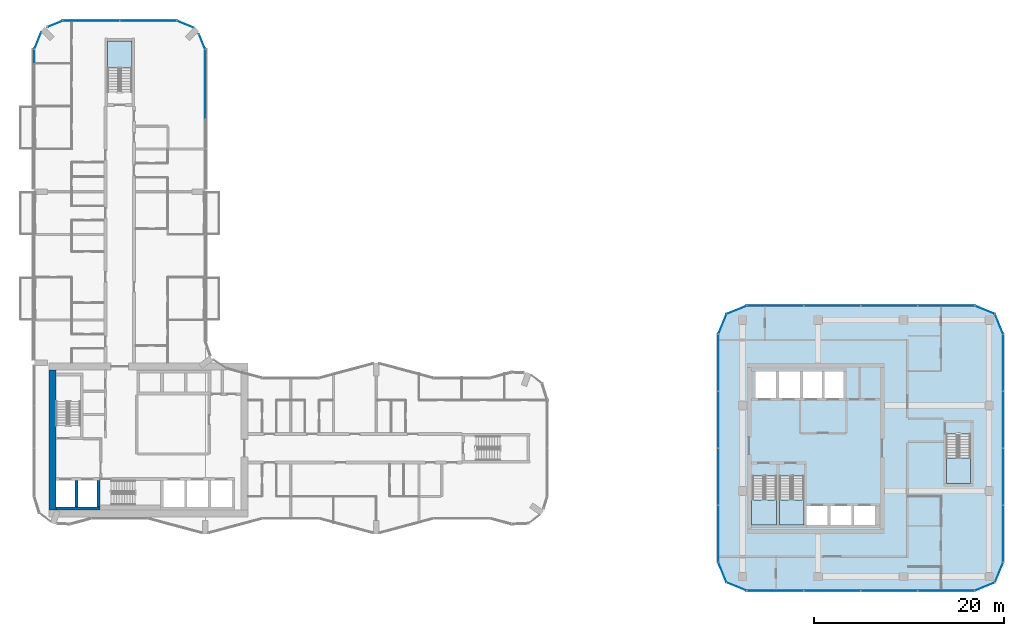
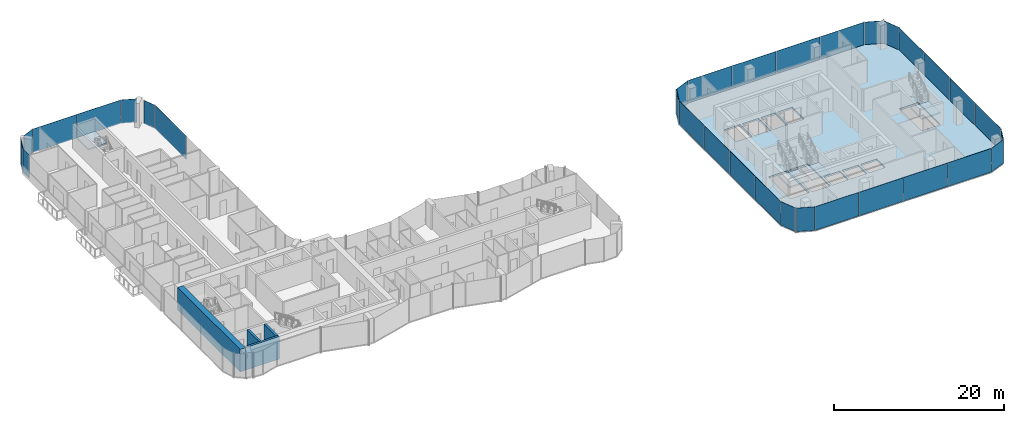
# One storey, part 12 of 23: 32 plates, 5 slabs, 4 walls, 23 elements without a shape of their own.
"""IFC4 building model written with IfcOpenShell, lengths in metres."""

from ifc_helpers import new_model, si_unit, direction, frame, frame_2d, origin, origin_2d, place, context, subcontext, project, spatial, polyline, rectangle, outline, extrude, material, layer, layer_set, type_object, element, aggregate, save


model = new_model("IFC4")

# Units and contexts
model_context = context("Model", 3, precision=1e-05, world=origin(), true_north=direction((0.0, 1.0)))
body_context = subcontext(model_context, "Body", "Model", "MODEL_VIEW")
ifc_project = project(units=[si_unit("LENGTHUNIT", "METRE"), si_unit("AREAUNIT", "SQUARE_METRE"), si_unit("VOLUMEUNIT", "CUBIC_METRE"), si_unit("PLANEANGLEUNIT", "RADIAN"), si_unit("MASSUNIT", "GRAM", prefix="KILO")], contexts=[model_context])

# Site, building, storey
site_placement = place(None, origin())
site = spatial("IfcSite", under=ifc_project, at=site_placement, CompositionType="ELEMENT")
building_placement = place(site_placement, origin())
building = spatial("IfcBuilding", under=site, at=building_placement, Name="Plateau Cross Towers", CompositionType="ELEMENT")
storey_placement = place(building_placement, frame((0.0, 0.0, 40.800048828125)))
storey = spatial("IfcBuildingStorey", under=building, at=storey_placement, Name="L09", CompositionType="ELEMENT", Elevation=40.800048828125)

# Curtain wall, plates
ifc_material_1 = material(Name="Dark low-iron glass", Category="glass")
ifc_layer_1 = layer(ifc_material_1, 0.239990234375)
ifc_layer_set_1 = layer_set([ifc_layer_1], Name="Dark low-iron glass")
curtain_wall_type_1 = type_object("IfcCurtainWallType", Name="Curtain wall office unitised CW-F", PredefinedType="NOTDEFINED", material=ifc_layer_set_1)
curtain_wall_1_placement = place(storey_placement, origin())
curtain_wall_1 = element("IfcCurtainWall", 1, at=curtain_wall_1_placement, inside=storey, type_object=curtain_wall_type_1, Name="ENV/B/L09/B750_-60", PredefinedType="NOTDEFINED")
ifc_layer_2 = layer(ifc_material_1, 0.028076171875)
ifc_layer_set_2 = layer_set([ifc_layer_2], Name="Dark low-iron glass")
plate_type_1 = type_object("IfcPlateType", Name="Glass panel 28 office unitised", PredefinedType="CURTAIN_PANEL", material=ifc_layer_set_2)
plate_1_placement = place(storey_placement, frame((78.0, -6.0, -0.1298828125), z_axis=(0.0, 0.0, 1.0), x_axis=(1.0, 0.0, 0.0)))
plate_1 = element("IfcPlate", 2, at=plate_1_placement, type_object=plate_type_1, Name="CW-F panel 1", PredefinedType="CURTAIN_PANEL", context=body_context, shape_type="SweptSolid", body=[
    extrude(rectangle(XDim=5.93994140625, YDim=0.028076171875, at=origin_2d()), origin(), (0.0, 0.0, 1.0), 3.3798828125),
])
plate_2_placement = place(storey_placement, frame((84.0, -6.0, -0.1298828125), z_axis=(0.0, 0.0, 1.0), x_axis=(1.0, 0.0, 0.0)))
plate_2 = element("IfcPlate", 3, at=plate_2_placement, type_object=plate_type_1, Name="CW-F panel 2", PredefinedType="CURTAIN_PANEL", context=body_context, shape_type="SweptSolid", body=[
    extrude(rectangle(XDim=5.93994140625, YDim=0.028076171875, at=origin_2d()), origin(), (0.0, 0.0, 1.0), 3.3798828125),
])
plate_3_placement = place(storey_placement, frame((90.0, -6.0, -0.1298828125), z_axis=(0.0, 0.0, 1.0), x_axis=(1.0, 0.0, 0.0)))
plate_3 = element("IfcPlate", 4, at=plate_3_placement, type_object=plate_type_1, Name="CW-F panel 3", PredefinedType="CURTAIN_PANEL", context=body_context, shape_type="SweptSolid", body=[
    extrude(rectangle(XDim=5.93994140625, YDim=0.028076171875, at=origin_2d()), origin(), (0.0, 0.0, 1.0), 3.3798828125),
])
plate_4_placement = place(storey_placement, frame((96.0, -6.0, -0.1298828125), z_axis=(0.0, 0.0, 1.0), x_axis=(1.0, 0.0, 0.0)))
plate_4 = element("IfcPlate", 5, at=plate_4_placement, type_object=plate_type_1, Name="CW-F panel 4", PredefinedType="CURTAIN_PANEL", context=body_context, shape_type="SweptSolid", body=[
    extrude(rectangle(XDim=5.93994140625, YDim=0.028076171875, at=origin_2d()), origin(), (0.0, 0.0, 1.0), 3.3798828125),
])
aggregate(curtain_wall_1, [plate_1, plate_2, plate_3, plate_4])

# Curtain wall, plate
curtain_wall_2_placement = place(storey_placement, origin())
curtain_wall_2 = element("IfcCurtainWall", 6, at=curtain_wall_2_placement, inside=storey, type_object=curtain_wall_type_1, Name="ENV/B/L09/B990_-60", PredefinedType="NOTDEFINED")
plate_5_placement = place(storey_placement, frame((100.060546875, -5.560546875, -0.1298828125), z_axis=(0.0, 0.0, 1.0), x_axis=(0.923879457699, 0.382683612978, 0.0)))
plate_5 = element("IfcPlate", 7, at=plate_5_placement, type_object=plate_type_1, Name="CW-F panel 1", PredefinedType="CURTAIN_PANEL", context=body_context, shape_type="SweptSolid", body=[
    extrude(rectangle(XDim=2.236083984375, YDim=0.028076171875, at=origin_2d()), origin(), (0.0, 0.0, 1.0), 3.3798828125),
])
aggregate(curtain_wall_2, [plate_5])

curtain_wall_3_placement = place(storey_placement, origin())
curtain_wall_3 = element("IfcCurtainWall", 8, at=curtain_wall_3_placement, inside=storey, type_object=curtain_wall_type_1, Name="ENV/B/L09/B1011_-51", PredefinedType="NOTDEFINED")
plate_6_placement = place(storey_placement, frame((101.560546875, -4.060546875, -0.1298828125), z_axis=(0.0, 0.0, 1.0), x_axis=(0.382683612978, 0.923879457699, 0.0)))
plate_6 = element("IfcPlate", 9, at=plate_6_placement, type_object=plate_type_1, Name="CW-F panel 1", PredefinedType="CURTAIN_PANEL", context=body_context, shape_type="SweptSolid", body=[
    extrude(rectangle(XDim=2.236083984375, YDim=0.028076171875, at=origin_2d()), origin(), (0.0, 0.0, 1.0), 3.3798828125),
])
aggregate(curtain_wall_3, [plate_6])

# Curtain wall, plates
curtain_wall_4_placement = place(storey_placement, origin())
curtain_wall_4 = element("IfcCurtainWall", 10, at=curtain_wall_4_placement, inside=storey, type_object=curtain_wall_type_1, Name="ENV/B/L09/B1020_-30", PredefinedType="NOTDEFINED")
plate_7_placement = place(storey_placement, frame((102.0, 0.0, -0.1298828125), z_axis=(0.0, 0.0, 1.0), x_axis=(0.0, 1.0, 0.0)))
plate_7 = element("IfcPlate", 11, at=plate_7_placement, type_object=plate_type_1, Name="CW-F panel 1", PredefinedType="CURTAIN_PANEL", context=body_context, shape_type="SweptSolid", body=[
    extrude(rectangle(XDim=5.93994140625, YDim=0.028076171875, at=origin_2d()), origin(), (0.0, 0.0, 1.0), 3.3798828125),
])
plate_8_placement = place(storey_placement, frame((102.0, 6.0, -0.1298828125), z_axis=(0.0, 0.0, 1.0), x_axis=(0.0, 1.0, 0.0)))
plate_8 = element("IfcPlate", 12, at=plate_8_placement, type_object=plate_type_1, Name="CW-F panel 2", PredefinedType="CURTAIN_PANEL", context=body_context, shape_type="SweptSolid", body=[
    extrude(rectangle(XDim=5.93994140625, YDim=0.028076171875, at=origin_2d()), origin(), (0.0, 0.0, 1.0), 3.3798828125),
])
plate_9_placement = place(storey_placement, frame((102.0, 12.0, -0.1298828125), z_axis=(0.0, 0.0, 1.0), x_axis=(0.0, 1.0, 0.0)))
plate_9 = element("IfcPlate", 13, at=plate_9_placement, type_object=plate_type_1, Name="CW-F panel 3", PredefinedType="CURTAIN_PANEL", context=body_context, shape_type="SweptSolid", body=[
    extrude(rectangle(XDim=5.93994140625, YDim=0.028076171875, at=origin_2d()), origin(), (0.0, 0.0, 1.0), 3.3798828125),
])
plate_10_placement = place(storey_placement, frame((102.0, 18.0, -0.1298828125), z_axis=(0.0, 0.0, 1.0), x_axis=(0.0, 1.0, 0.0)))
plate_10 = element("IfcPlate", 14, at=plate_10_placement, type_object=plate_type_1, Name="CW-F panel 4", PredefinedType="CURTAIN_PANEL", context=body_context, shape_type="SweptSolid", body=[
    extrude(rectangle(XDim=5.93994140625, YDim=0.028076171875, at=origin_2d()), origin(), (0.0, 0.0, 1.0), 3.3798828125),
])
aggregate(curtain_wall_4, [plate_7, plate_8, plate_9, plate_10])

# Curtain wall, plate
curtain_wall_5_placement = place(storey_placement, origin())
curtain_wall_5 = element("IfcCurtainWall", 15, at=curtain_wall_5_placement, inside=storey, type_object=curtain_wall_type_1, Name="ENV/B/L09/B1020_210", PredefinedType="NOTDEFINED")
plate_11_placement = place(storey_placement, frame((101.560546875, 22.060546875, -0.1298828125), z_axis=(0.0, 0.0, 1.0), x_axis=(-0.382683612978, 0.923879457699, 0.0)))
plate_11 = element("IfcPlate", 16, at=plate_11_placement, type_object=plate_type_1, Name="CW-F panel 1", PredefinedType="CURTAIN_PANEL", context=body_context, shape_type="SweptSolid", body=[
    extrude(rectangle(XDim=2.236083984375, YDim=0.028076171875, at=origin_2d()), origin(), (0.0, 0.0, 1.0), 3.3798828125),
])
aggregate(curtain_wall_5, [plate_11])

curtain_wall_6_placement = place(storey_placement, origin())
curtain_wall_6 = element("IfcCurtainWall", 17, at=curtain_wall_6_placement, inside=storey, type_object=curtain_wall_type_1, Name="ENV/B/L09/B1011_231", PredefinedType="NOTDEFINED")
plate_12_placement = place(storey_placement, frame((100.060546875, 23.560546875, -0.1298828125), z_axis=(0.0, 0.0, 1.0), x_axis=(-0.923879457699, 0.382683612978, 0.0)))
plate_12 = element("IfcPlate", 18, at=plate_12_placement, type_object=plate_type_1, Name="CW-F panel 1", PredefinedType="CURTAIN_PANEL", context=body_context, shape_type="SweptSolid", body=[
    extrude(rectangle(XDim=2.236083984375, YDim=0.028076171875, at=origin_2d()), origin(), (0.0, 0.0, 1.0), 3.3798828125),
])
aggregate(curtain_wall_6, [plate_12])

# Curtain wall, plates
curtain_wall_7_placement = place(storey_placement, origin())
curtain_wall_7 = element("IfcCurtainWall", 19, at=curtain_wall_7_placement, inside=storey, type_object=curtain_wall_type_1, Name="ENV/B/L09/B990_240", PredefinedType="NOTDEFINED")
plate_13_placement = place(storey_placement, frame((96.0, 24.0, -0.1298828125), z_axis=(0.0, 0.0, 1.0), x_axis=(-1.0, 0.0, 0.0)))
plate_13 = element("IfcPlate", 20, at=plate_13_placement, type_object=plate_type_1, Name="CW-F panel 1", PredefinedType="CURTAIN_PANEL", context=body_context, shape_type="SweptSolid", body=[
    extrude(rectangle(XDim=5.93994140625, YDim=0.028076171875, at=origin_2d()), origin(), (0.0, 0.0, 1.0), 3.3798828125),
])
plate_14_placement = place(storey_placement, frame((90.0, 24.0, -0.1298828125), z_axis=(0.0, 0.0, 1.0), x_axis=(-1.0, 0.0, 0.0)))
plate_14 = element("IfcPlate", 21, at=plate_14_placement, type_object=plate_type_1, Name="CW-F panel 2", PredefinedType="CURTAIN_PANEL", context=body_context, shape_type="SweptSolid", body=[
    extrude(rectangle(XDim=5.93994140625, YDim=0.028076171875, at=origin_2d()), origin(), (0.0, 0.0, 1.0), 3.3798828125),
])
plate_15_placement = place(storey_placement, frame((84.0, 24.0, -0.1298828125), z_axis=(0.0, 0.0, 1.0), x_axis=(-1.0, 0.0, 0.0)))
plate_15 = element("IfcPlate", 22, at=plate_15_placement, type_object=plate_type_1, Name="CW-F panel 3", PredefinedType="CURTAIN_PANEL", context=body_context, shape_type="SweptSolid", body=[
    extrude(rectangle(XDim=5.93994140625, YDim=0.028076171875, at=origin_2d()), origin(), (0.0, 0.0, 1.0), 3.3798828125),
])
plate_16_placement = place(storey_placement, frame((78.0, 24.0, -0.1298828125), z_axis=(0.0, 0.0, 1.0), x_axis=(-1.0, 0.0, 0.0)))
plate_16 = element("IfcPlate", 23, at=plate_16_placement, type_object=plate_type_1, Name="CW-F panel 4", PredefinedType="CURTAIN_PANEL", context=body_context, shape_type="SweptSolid", body=[
    extrude(rectangle(XDim=5.93994140625, YDim=0.028076171875, at=origin_2d()), origin(), (0.0, 0.0, 1.0), 3.3798828125),
])
aggregate(curtain_wall_7, [plate_13, plate_14, plate_15, plate_16])

# Curtain wall, plate
curtain_wall_8_placement = place(storey_placement, origin())
curtain_wall_8 = element("IfcCurtainWall", 24, at=curtain_wall_8_placement, inside=storey, type_object=curtain_wall_type_1, Name="ENV/B/L09/B750_240", PredefinedType="NOTDEFINED")
plate_17_placement = place(storey_placement, frame((73.939453125, 23.560546875, -0.1298828125), z_axis=(0.0, 0.0, 1.0), x_axis=(-0.923879457699, -0.382683612978, 0.0)))
plate_17 = element("IfcPlate", 25, at=plate_17_placement, type_object=plate_type_1, Name="CW-F panel 1", PredefinedType="CURTAIN_PANEL", context=body_context, shape_type="SweptSolid", body=[
    extrude(rectangle(XDim=2.236083984375, YDim=0.028076171875, at=origin_2d()), origin(), (0.0, 0.0, 1.0), 3.3798828125),
])
aggregate(curtain_wall_8, [plate_17])

curtain_wall_9_placement = place(storey_placement, origin())
curtain_wall_9 = element("IfcCurtainWall", 26, at=curtain_wall_9_placement, inside=storey, type_object=curtain_wall_type_1, Name="ENV/B/L09/B729_231", PredefinedType="NOTDEFINED")
plate_18_placement = place(storey_placement, frame((72.439453125, 22.060546875, -0.1298828125), z_axis=(0.0, 0.0, 1.0), x_axis=(-0.382683612978, -0.923879457699, 0.0)))
plate_18 = element("IfcPlate", 27, at=plate_18_placement, type_object=plate_type_1, Name="CW-F panel 1", PredefinedType="CURTAIN_PANEL", context=body_context, shape_type="SweptSolid", body=[
    extrude(rectangle(XDim=2.236083984375, YDim=0.028076171875, at=origin_2d()), origin(), (0.0, 0.0, 1.0), 3.3798828125),
])
aggregate(curtain_wall_9, [plate_18])

# Curtain wall, plates
curtain_wall_10_placement = place(storey_placement, origin())
curtain_wall_10 = element("IfcCurtainWall", 28, at=curtain_wall_10_placement, inside=storey, type_object=curtain_wall_type_1, Name="ENV/B/L09/B720_210", PredefinedType="NOTDEFINED")
plate_19_placement = place(storey_placement, frame((72.0, 18.0, -0.1298828125), z_axis=(0.0, 0.0, 1.0), x_axis=(0.0, -1.0, 0.0)))
plate_19 = element("IfcPlate", 29, at=plate_19_placement, type_object=plate_type_1, Name="CW-F panel 1", PredefinedType="CURTAIN_PANEL", context=body_context, shape_type="SweptSolid", body=[
    extrude(rectangle(XDim=5.93994140625, YDim=0.028076171875, at=origin_2d()), origin(), (0.0, 0.0, 1.0), 3.3798828125),
])
plate_20_placement = place(storey_placement, frame((72.0, 12.0, -0.1298828125), z_axis=(0.0, 0.0, 1.0), x_axis=(0.0, -1.0, 0.0)))
plate_20 = element("IfcPlate", 30, at=plate_20_placement, type_object=plate_type_1, Name="CW-F panel 2", PredefinedType="CURTAIN_PANEL", context=body_context, shape_type="SweptSolid", body=[
    extrude(rectangle(XDim=5.93994140625, YDim=0.028076171875, at=origin_2d()), origin(), (0.0, 0.0, 1.0), 3.3798828125),
])
plate_21_placement = place(storey_placement, frame((72.0, 6.0, -0.1298828125), z_axis=(0.0, 0.0, 1.0), x_axis=(0.0, -1.0, 0.0)))
plate_21 = element("IfcPlate", 31, at=plate_21_placement, type_object=plate_type_1, Name="CW-F panel 3", PredefinedType="CURTAIN_PANEL", context=body_context, shape_type="SweptSolid", body=[
    extrude(rectangle(XDim=5.93994140625, YDim=0.028076171875, at=origin_2d()), origin(), (0.0, 0.0, 1.0), 3.3798828125),
])
plate_22_placement = place(storey_placement, frame((72.0, 0.0, -0.1298828125), z_axis=(0.0, 0.0, 1.0), x_axis=(0.0, -1.0, 0.0)))
plate_22 = element("IfcPlate", 32, at=plate_22_placement, type_object=plate_type_1, Name="CW-F panel 4", PredefinedType="CURTAIN_PANEL", context=body_context, shape_type="SweptSolid", body=[
    extrude(rectangle(XDim=5.93994140625, YDim=0.028076171875, at=origin_2d()), origin(), (0.0, 0.0, 1.0), 3.3798828125),
])
aggregate(curtain_wall_10, [plate_19, plate_20, plate_21, plate_22])

# Curtain wall, plate
curtain_wall_11_placement = place(storey_placement, origin())
curtain_wall_11 = element("IfcCurtainWall", 33, at=curtain_wall_11_placement, inside=storey, type_object=curtain_wall_type_1, Name="ENV/B/L09/B720_-30", PredefinedType="NOTDEFINED")
plate_23_placement = place(storey_placement, frame((72.439453125, -4.060546875, -0.1298828125), z_axis=(0.0, 0.0, 1.0), x_axis=(0.382683612978, -0.923879457699, 0.0)))
plate_23 = element("IfcPlate", 34, at=plate_23_placement, type_object=plate_type_1, Name="CW-F panel 1", PredefinedType="CURTAIN_PANEL", context=body_context, shape_type="SweptSolid", body=[
    extrude(rectangle(XDim=2.236083984375, YDim=0.028076171875, at=origin_2d()), origin(), (0.0, 0.0, 1.0), 3.3798828125),
])
aggregate(curtain_wall_11, [plate_23])

curtain_wall_12_placement = place(storey_placement, origin())
curtain_wall_12 = element("IfcCurtainWall", 35, at=curtain_wall_12_placement, inside=storey, type_object=curtain_wall_type_1, Name="ENV/B/L09/B729_-51", PredefinedType="NOTDEFINED")
plate_24_placement = place(storey_placement, frame((73.939453125, -5.560546875, -0.1298828125), z_axis=(0.0, 0.0, 1.0), x_axis=(0.923879457699, -0.382683612978, 0.0)))
plate_24 = element("IfcPlate", 36, at=plate_24_placement, type_object=plate_type_1, Name="CW-F panel 1", PredefinedType="CURTAIN_PANEL", context=body_context, shape_type="SweptSolid", body=[
    extrude(rectangle(XDim=2.236083984375, YDim=0.028076171875, at=origin_2d()), origin(), (0.0, 0.0, 1.0), 3.3798828125),
])
aggregate(curtain_wall_12, [plate_24])

ifc_layer_3 = layer(ifc_material_1, 0.239990234375)
ifc_layer_set_3 = layer_set([ifc_layer_3], Name="Dark low-iron glass")
curtain_wall_type_2 = type_object("IfcCurtainWallType", Name="Curtain wall flush unitised CW-B", PredefinedType="NOTDEFINED", material=ifc_layer_set_3)
curtain_wall_13_placement = place(storey_placement, origin())
curtain_wall_13 = element("IfcCurtainWall", 37, at=curtain_wall_13_placement, inside=storey, type_object=curtain_wall_type_2, Name="ENV/A/L09/A180_363", PredefinedType="NOTDEFINED")
ifc_layer_4 = layer(ifc_material_1, 0.031982421875)
ifc_layer_set_4 = layer_set([ifc_layer_4], Name="Dark low-iron glass")
plate_type_2 = type_object("IfcPlateType", Name="Glass panel 32 flush unitised", PredefinedType="CURTAIN_PANEL", material=ifc_layer_set_4)
plate_25_placement = place(storey_placement, frame((18.0, 47.324951171875, -0.1298828125), z_axis=(0.0, 0.0, 1.0), x_axis=(0.0, 1.0, 0.0)))
plate_25 = element("IfcPlate", 38, at=plate_25_placement, type_object=plate_type_2, Name="CW-B panel 2", PredefinedType="CURTAIN_PANEL", context=body_context, shape_type="SweptSolid", body=[
    extrude(rectangle(XDim=7.2900390625, YDim=0.031982421875, at=origin_2d()), origin(), (0.0, 0.0, 1.0), 3.3798828125),
])
aggregate(curtain_wall_13, [plate_25])

curtain_wall_14_placement = place(storey_placement, origin())
curtain_wall_14 = element("IfcCurtainWall", 39, at=curtain_wall_14_placement, inside=storey, type_object=curtain_wall_type_2, Name="ENV/A/L09/A180_510", PredefinedType="NOTDEFINED")
plate_26_placement = place(storey_placement, frame((17.66943359375, 51.79833984375, -0.1298828125), z_axis=(0.0, 0.0, 1.0), x_axis=(-0.382683612978, 0.923879457699, 0.0)))
plate_26 = element("IfcPlate", 40, at=plate_26_placement, type_object=plate_type_2, Name="CW-B panel 1", PredefinedType="CURTAIN_PANEL", context=body_context, shape_type="SweptSolid", body=[
    extrude(rectangle(XDim=1.668212890625, YDim=0.031982421875, at=origin_2d()), origin(), (0.0, 0.0, 1.0), 3.3798828125),
])
aggregate(curtain_wall_14, [plate_26])

curtain_wall_15_placement = place(storey_placement, origin())
curtain_wall_15 = element("IfcCurtainWall", 41, at=curtain_wall_15_placement, inside=storey, type_object=curtain_wall_type_2, Name="ENV/A/L09/A168_533", PredefinedType="NOTDEFINED")
plate_27_placement = place(storey_placement, frame((15.90283203125, 53.6259765625, -0.1298828125), z_axis=(0.0, 0.0, 1.0), x_axis=(-0.923879457699, 0.382683612978, 0.0)))
plate_27 = element("IfcPlate", 42, at=plate_27_placement, type_object=plate_type_2, Name="CW-B panel 1", PredefinedType="CURTAIN_PANEL", context=body_context, shape_type="SweptSolid", body=[
    extrude(rectangle(XDim=1.894775390625, YDim=0.031982421875, at=origin_2d()), origin(), (0.0, 0.0, 1.0), 3.3798828125),
])
aggregate(curtain_wall_15, [plate_27])

# Curtain wall, plates
curtain_wall_16_placement = place(storey_placement, origin())
curtain_wall_16 = element("IfcCurtainWall", 43, at=curtain_wall_16_placement, inside=storey, type_object=curtain_wall_type_2, Name="ENV/A/L09/A150_540", PredefinedType="NOTDEFINED")
plate_28_placement = place(storey_placement, frame((12.0, 54.0, -0.1298828125), z_axis=(0.0, 0.0, 1.0), x_axis=(-1.0, 0.0, 0.0)))
plate_28 = element("IfcPlate", 44, at=plate_28_placement, type_object=plate_type_2, Name="CW-B panel 1", PredefinedType="CURTAIN_PANEL", context=body_context, shape_type="SweptSolid", body=[
    extrude(rectangle(XDim=5.93994140625, YDim=0.031982421875, at=origin_2d()), origin(), (0.0, 0.0, 1.0), 3.3798828125),
])
plate_29_placement = place(storey_placement, frame((6.0, 54.0, -0.1298828125), z_axis=(0.0, 0.0, 1.0), x_axis=(-1.0, 0.0, 0.0)))
plate_29 = element("IfcPlate", 45, at=plate_29_placement, type_object=plate_type_2, Name="CW-B panel 2", PredefinedType="CURTAIN_PANEL", context=body_context, shape_type="SweptSolid", body=[
    extrude(rectangle(XDim=5.93994140625, YDim=0.031982421875, at=origin_2d()), origin(), (0.0, 0.0, 1.0), 3.3798828125),
])
aggregate(curtain_wall_16, [plate_28, plate_29])

# Curtain wall, plate
curtain_wall_17_placement = place(storey_placement, origin())
curtain_wall_17 = element("IfcCurtainWall", 46, at=curtain_wall_17_placement, inside=storey, type_object=curtain_wall_type_2, Name="ENV/A/L09/A30_540", PredefinedType="NOTDEFINED")
plate_30_placement = place(storey_placement, frame((2.20166015625, 53.66943359375, -0.1298828125), z_axis=(0.0, 0.0, 1.0), x_axis=(-0.923879457699, -0.382683612978, 0.0)))
plate_30 = element("IfcPlate", 47, at=plate_30_placement, type_object=plate_type_2, Name="CW-B panel 1", PredefinedType="CURTAIN_PANEL", context=body_context, shape_type="SweptSolid", body=[
    extrude(rectangle(XDim=1.668212890625, YDim=0.031982421875, at=origin_2d()), origin(), (0.0, 0.0, 1.0), 3.3798828125),
])
aggregate(curtain_wall_17, [plate_30])

curtain_wall_18_placement = place(storey_placement, origin())
curtain_wall_18 = element("IfcCurtainWall", 48, at=curtain_wall_18_placement, inside=storey, type_object=curtain_wall_type_2, Name="ENV/A/L09/A7_528", PredefinedType="NOTDEFINED")
plate_31_placement = place(storey_placement, frame((0.3740234375, 51.90283203125, -0.1298828125), z_axis=(0.0, 0.0, 1.0), x_axis=(-0.382683612978, -0.923879457699, 0.0)))
plate_31 = element("IfcPlate", 49, at=plate_31_placement, type_object=plate_type_2, Name="CW-B panel 1", PredefinedType="CURTAIN_PANEL", context=body_context, shape_type="SweptSolid", body=[
    extrude(rectangle(XDim=1.894775390625, YDim=0.031982421875, at=origin_2d()), origin(), (0.0, 0.0, 1.0), 3.3798828125),
])
aggregate(curtain_wall_18, [plate_31])

curtain_wall_19_placement = place(storey_placement, origin())
curtain_wall_19 = element("IfcCurtainWall", 50, at=curtain_wall_19_placement, inside=storey, type_object=curtain_wall_type_2, Name="ENV/A/L09/A0_510", PredefinedType="NOTDEFINED")
plate_32_placement = place(storey_placement, frame((0.0, 50.25, -0.1298828125), z_axis=(0.0, 0.0, 1.0), x_axis=(0.0, -1.0, 0.0)))
plate_32 = element("IfcPlate", 51, at=plate_32_placement, type_object=plate_type_2, Name="CW-B panel 1", PredefinedType="CURTAIN_PANEL", context=body_context, shape_type="SweptSolid", body=[
    extrude(rectangle(XDim=1.43994140625, YDim=0.031982421875, at=origin_2d()), origin(), (0.0, 0.0, 1.0), 3.3798828125),
])
aggregate(curtain_wall_19, [plate_32])

# Slab
ifc_material_2 = material(Name="Concrete C40/50", Category="concrete")
ifc_layer_5 = layer(ifc_material_2, 0.25)
ifc_layer_set_5 = layer_set([ifc_layer_5], Name="Concrete C40/50")
slab_type_1 = type_object("IfcSlabType", Name="Post-tensioned flat plate slab 250", PredefinedType="FLOOR", material=ifc_layer_set_5)
slab_1_placement = place(storey_placement, frame((0.0, 0.0, -0.25)))
element("IfcSlab", 52, at=slab_1_placement, inside=storey, type_object=slab_type_1, Name="SL-B-L09", PredefinedType="FLOOR", context=body_context, shape_type="SweptSolid", body=[
    extrude(outline(polyline([(72.878662109375, -5.121337890625), (72.0, -3.0), (72.0, 21.0), (72.878662109375, 23.121337890625), (75.0, 24.0), (99.0, 24.0), (101.121337890625, 23.121337890625), (102.0, 21.0), (102.0, -3.0), (101.121337890625, -5.121337890625), (99.0, -6.0), (75.0, -6.0), (72.878662109375, -5.121337890625)]), holes=[polyline([(75.60009765625, 0.89990234375), (78.14990234375, 0.89990234375), (78.14990234375, 6.10009765625), (75.60009765625, 6.10009765625), (75.60009765625, 0.89990234375)]), polyline([(78.10009765625, 14.300048828125), (78.10009765625, 17.10009765625), (75.89990234375, 17.10009765625), (75.89990234375, 14.300048828125), (78.10009765625, 14.300048828125)]), polyline([(83.5, 0.89990234375), (83.5, 2.89990234375), (81.300048828125, 2.89990234375), (81.300048828125, 0.89990234375), (83.5, 0.89990234375)]), polyline([(86.0, 0.89990234375), (86.0, 2.89990234375), (83.800048828125, 2.89990234375), (83.800048828125, 0.89990234375), (86.0, 0.89990234375)]), polyline([(88.5, 0.89990234375), (88.5, 2.89990234375), (86.300048828125, 2.89990234375), (86.300048828125, 0.89990234375), (88.5, 0.89990234375)]), polyline([(78.449951171875, 0.89990234375), (81.0, 0.89990234375), (81.0, 6.10009765625), (78.449951171875, 6.10009765625), (78.449951171875, 0.89990234375)]), polyline([(96.0, 5.300048828125), (98.550048828125, 5.300048828125), (98.550048828125, 10.5), (96.0, 10.5), (96.0, 5.300048828125)]), polyline([(80.60009765625, 14.300048828125), (80.60009765625, 17.10009765625), (78.39990234375, 17.10009765625), (78.39990234375, 14.300048828125), (80.60009765625, 14.300048828125)]), polyline([(80.89990234375, 14.300048828125), (82.89990234375, 14.300048828125), (82.89990234375, 17.10009765625), (80.89990234375, 17.10009765625), (80.89990234375, 14.300048828125)]), polyline([(83.199951171875, 14.300048828125), (85.199951171875, 14.300048828125), (85.199951171875, 17.10009765625), (83.199951171875, 17.10009765625), (83.199951171875, 14.300048828125)])]), origin(), (0.0, 0.0, 1.0), 0.25),
])

# Stair, slab
stair_type = type_object("IfcStairType", Name="ST-TWR", PredefinedType="HALF_TURN_STAIR", material=ifc_material_2)
stair_1_placement = place(storey_placement, origin())
stair_1 = element("IfcStair", 53, at=stair_1_placement, inside=storey, type_object=stair_type, Name="L09 Protected Exit Stair SB-1", PredefinedType="HALF_TURN_STAIR")
ifc_layer_6 = layer(ifc_material_2, 0.199951171875)
ifc_layer_set_6 = layer_set([ifc_layer_6], Name="Concrete C40/50")
slab_type_2 = type_object("IfcSlabType", Name="SL-LANDING", PredefinedType="LANDING", material=ifc_layer_set_6)
slab_2_placement = place(storey_placement, frame((0.0, 0.0, 1.550048828125)))
slab_2 = element("IfcSlab", 54, at=slab_2_placement, type_object=slab_type_2, Name="SB-1 landing 1", PredefinedType="LANDING", context=body_context, shape_type="SweptSolid", body=[
    extrude(outline(polyline([(75.5, 3.580078125), (75.5, 0.89990234375), (78.14990234375, 0.89990234375), (78.14990234375, 3.580078125), (75.5, 3.580078125)])), origin(), (0.0, 0.0, 1.0), 0.199951171875),
])
aggregate(stair_1, [slab_2])

stair_2_placement = place(storey_placement, origin())
stair_2 = element("IfcStair", 55, at=stair_2_placement, inside=storey, type_object=stair_type, Name="L09 Protected Exit Stair SB-2", PredefinedType="HALF_TURN_STAIR")
slab_3_placement = place(storey_placement, frame((0.0, 0.0, 1.550048828125)))
slab_3 = element("IfcSlab", 56, at=slab_3_placement, type_object=slab_type_2, Name="SB-2 landing 1", PredefinedType="LANDING", context=body_context, shape_type="SweptSolid", body=[
    extrude(outline(polyline([(78.449951171875, 3.580078125), (78.449951171875, 0.89990234375), (81.0, 0.89990234375), (81.0, 3.580078125), (78.449951171875, 3.580078125)])), origin(), (0.0, 0.0, 1.0), 0.199951171875),
])
aggregate(stair_2, [slab_3])

stair_3_placement = place(storey_placement, origin())
stair_3 = element("IfcStair", 57, at=stair_3_placement, inside=storey, type_object=stair_type, Name="L09 Protected Exit Stair SB-3", PredefinedType="HALF_TURN_STAIR")
slab_4_placement = place(storey_placement, frame((0.0, 0.0, 1.550048828125)))
slab_4 = element("IfcSlab", 58, at=slab_4_placement, type_object=slab_type_2, Name="SB-3 landing 1", PredefinedType="LANDING", context=body_context, shape_type="SweptSolid", body=[
    extrude(outline(polyline([(96.0, 7.97998046875), (96.0, 5.300048828125), (98.550048828125, 5.300048828125), (98.550048828125, 7.97998046875), (96.0, 7.97998046875)])), origin(), (0.0, 0.0, 1.0), 0.199951171875),
])
aggregate(stair_3, [slab_4])

stair_4_placement = place(storey_placement, origin())
stair_4 = element("IfcStair", 59, at=stair_4_placement, inside=storey, type_object=stair_type, Name="L09 Protected Exit Stair N", PredefinedType="HALF_TURN_STAIR")
slab_5_placement = place(storey_placement, frame((0.0, 0.0, 1.550048828125)))
slab_5 = element("IfcSlab", 60, at=slab_5_placement, type_object=slab_type_2, Name="ES-N landing 1", PredefinedType="LANDING", context=body_context, shape_type="SweptSolid", body=[
    extrude(outline(polyline([(10.27490234375, 49.02001953125), (10.27490234375, 51.85009765625), (7.72509765625, 51.85009765625), (7.72509765625, 49.02001953125), (10.27490234375, 49.02001953125)])), origin(), (0.0, 0.0, 1.0), 0.199951171875),
])
aggregate(stair_4, [slab_5])

# Walls
ifc_material_3 = material(Name="Concrete C60/75", Category="concrete")
ifc_layer_7 = layer(ifc_material_3, 0.300048828125)
ifc_layer_set_7 = layer_set([ifc_layer_7], Name="Concrete C60/75")
wall_type_1 = type_object("IfcWallType", Name="Core shaft wall 300", PredefinedType="SHEAR", material=ifc_layer_set_7)
wall_1_placement = place(storey_placement, frame((2.300048828125, 2.64990234375, 0.0), z_axis=(0.0, 0.0, 1.0), x_axis=(1.0, 0.0, 0.0)))
element("IfcWall", 61, at=wall_1_placement, inside=storey, type_object=wall_type_1, Name="A-sb-back1@L09", PredefinedType="SHEAR", context=body_context, shape_type="SweptSolid", body=[
    extrude(rectangle(XDim=4.599853515625, YDim=0.300048828125, at=frame_2d((2.2998046875, 0.0))), origin(), (0.0, 0.0, 1.0), 3.25),
])
for number, where, z_axis, x_axis, name in (
    (62, (4.449951171875, 2.800048828125, 0.0), (0.0, 0.0, 1.0), (0.0, 1.0, 0.0), "A-sb-v1@L09"),
    (63, (6.75, 2.800048828125, 0.0), (0.0, 0.0, 1.0), (0.0, 1.0, 0.0), "A-sb-v2@L09"),
):
    element("IfcWall", number, at=place(storey_placement, frame(where, z_axis=z_axis, x_axis=x_axis)), inside=storey, type_object=wall_type_1, Name=name, PredefinedType="SHEAR", context=body_context, shape_type="SweptSolid", body=[
        extrude(rectangle(XDim=2.800048828125, YDim=0.300048828125, at=frame_2d((1.39990234375, 0.0))), origin(), (0.0, 0.0, 1.0), 3.25),
    ])
ifc_layer_8 = layer(ifc_material_3, 0.75)
ifc_layer_set_8 = layer_set([ifc_layer_8], Name="Concrete C60/75")
wall_type_2 = type_object("IfcWallType", Name="Core shell wall 750", PredefinedType="SHEAR", material=ifc_layer_set_8)
wall_2_placement = place(storey_placement, frame((1.925048828125, 2.5, 0.0), z_axis=(0.0, 0.0, 1.0), x_axis=(0.0, 1.0, 0.0)))
element("IfcWall", 64, at=wall_2_placement, inside=storey, type_object=wall_type_2, Name="A-core-W@L09", PredefinedType="SHEAR", context=body_context, shape_type="SweptSolid", body=[
    extrude(rectangle(XDim=14.75, YDim=0.75, at=frame_2d((7.375, 0.0))), origin(), (0.0, 0.0, 1.0), 3.25),
])

save(model, "model.ifc")
